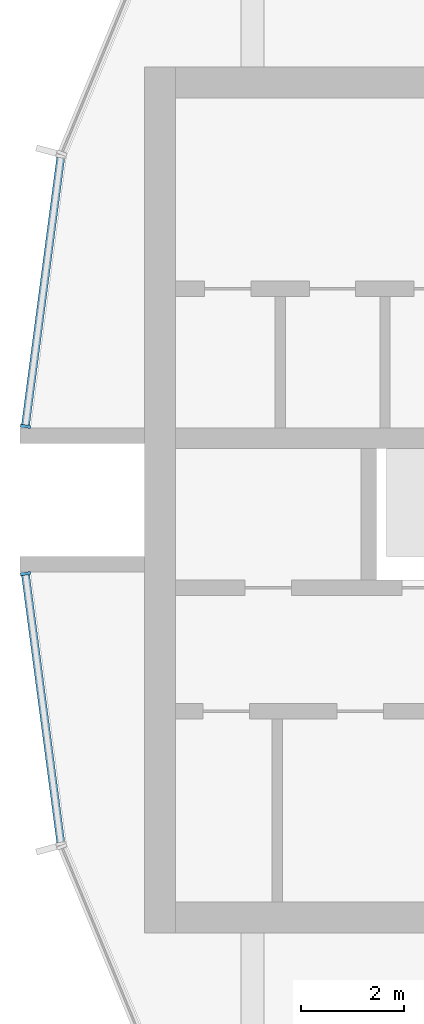
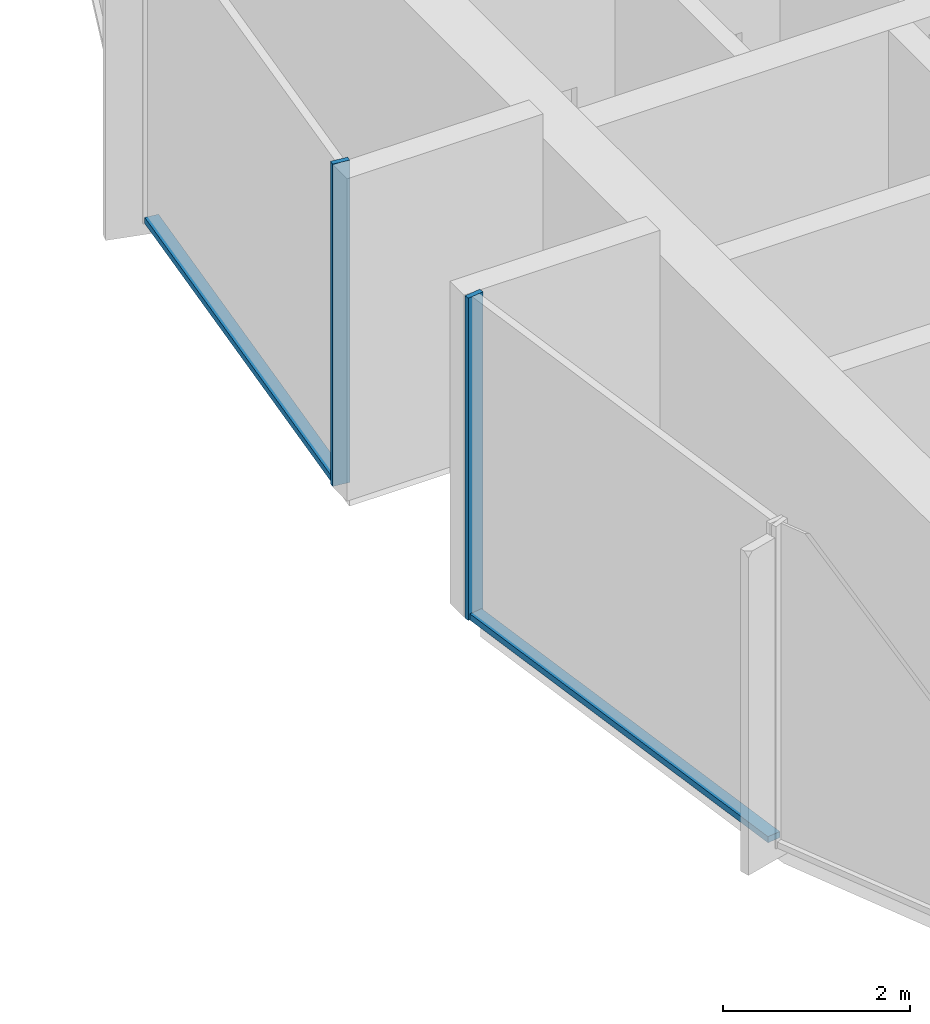
# One storey, part 3 of 15: 4 members, 2 elements without a shape of their own.
"""IFC4 building model written with IfcOpenShell, lengths in metres."""

import ifcopenshell
import ifcopenshell.guid

model = None  # the IFC model being written
_history = None  # IfcOwnerHistory: only IFC2X3 demands one
_inside = {}  # id of a spatial element -> (the spatial element, [elements in it])
_under = {}  # id of a project, library or spatial element -> (it, [spatial elements below it])
_declared = {}  # id of a project -> (the project, [libraries it declares])
_typed = {}  # id of a type object -> (the type object, [elements of that type])
_made_of = {}  # id of a material, layer set ... -> (it, [elements and type objects made of it])


def new_model(schema):
    """Start an empty IFC model of exactly this schema.

    Asked for "IFC4X3", IfcOpenShell would pick the latest addendum, in which some entities
    have other attributes; the version numbers below select the first issue.
    IFC2X3 requires an IfcOwnerHistory on every rooted entity: one is made here for all.
    """
    global model, _history
    if schema == "IFC4X3":
        model = ifcopenshell.file(schema_version=(4, 3, 0, 0))
    else:
        model = ifcopenshell.file(schema=schema)
    _inside.clear()
    _under.clear()
    _declared.clear()
    _typed.clear()
    _made_of.clear()
    _history = None
    if model.schema == "IFC2X3":
        org = make("IfcOrganization", Name="unknown")
        user = make(
            "IfcPersonAndOrganization",
            ThePerson=make("IfcPerson", FamilyName="unknown"),
            TheOrganization=org,
        )
        app = make(
            "IfcApplication",
            ApplicationDeveloper=org,
            Version="unknown",
            ApplicationFullName="unknown",
            ApplicationIdentifier="unknown",
        )
        _history = make(
            "IfcOwnerHistory",
            OwningUser=user,
            OwningApplication=app,
            ChangeAction="ADDED",
            CreationDate=0,
        )
    return model


def make(cls, **values):
    """One entity of the class cls with the attributes given. An attribute that is None is left unset."""
    return model.create_entity(
        cls, **{name: value for name, value in values.items() if value is not None}
    )


def rooted(cls, **values):
    """An entity with a GlobalId (a new one), such as an element, a storey or a relation."""
    return make(cls, GlobalId=ifcopenshell.guid.new(), OwnerHistory=_history, **values)


def si_unit(unit_type, name, prefix=None):
    """IfcSIUnit, for example si_unit("LENGTHUNIT", "METRE", prefix="MILLI")."""
    return make("IfcSIUnit", UnitType=unit_type, Prefix=prefix, Name=name)


def assignment(units):
    """IfcUnitAssignment: the units of a project."""
    return None if units is None else make("IfcUnitAssignment", Units=units)


def point(xyz):
    """IfcCartesianPoint."""
    return None if xyz is None else make("IfcCartesianPoint", Coordinates=xyz)


def direction(xyz):
    """IfcDirection."""
    return None if xyz is None else make("IfcDirection", DirectionRatios=xyz)


def frame(location, z_axis=None, x_axis=None):
    """IfcAxis2Placement3D, a coordinate frame: its origin and axes. An axis left out is left unset."""
    return make(
        "IfcAxis2Placement3D",
        Location=point(location),
        Axis=direction(z_axis),
        RefDirection=direction(x_axis),
    )


def frame_2d(location, x_axis=None):
    """IfcAxis2Placement2D, a coordinate frame in the plane: its origin and x axis."""
    return make(
        "IfcAxis2Placement2D", Location=point(location), RefDirection=direction(x_axis)
    )


def origin():
    """The frame at (0, 0, 0) with its axes left unset."""
    return frame((0.0, 0.0, 0.0))


def origin_2d():
    """The frame at (0, 0) in the plane with its x axis left unset."""
    return frame_2d((0.0, 0.0))


def place(relative_to, where):
    """IfcLocalPlacement: puts the frame where relative to a parent placement (None: the world)."""
    return make(
        "IfcLocalPlacement", PlacementRelTo=relative_to, RelativePlacement=where
    )


def context(
    kind, dimensions, precision=None, world=None, true_north=None, identifier=None
):
    """IfcGeometricRepresentationContext, for example the 3D "Model" context."""
    return make(
        "IfcGeometricRepresentationContext",
        ContextIdentifier=identifier,
        ContextType=kind,
        CoordinateSpaceDimension=dimensions,
        Precision=precision,
        WorldCoordinateSystem=world,
        TrueNorth=true_north,
    )


def subcontext(parent, identifier, kind, view, scale=None):
    """IfcGeometricRepresentationSubContext, for example "Body" below "Model"."""
    return make(
        "IfcGeometricRepresentationSubContext",
        ContextIdentifier=identifier,
        ContextType=kind,
        ParentContext=parent,
        TargetScale=scale,
        TargetView=view,
    )


def project(units=None, contexts=None):
    """IfcProject with its units and contexts."""
    return rooted(
        "IfcProject",
        Name="project",
        RepresentationContexts=contexts,
        UnitsInContext=assignment(units),
    )


def spatial(cls, under=None, at=None, **own):
    """A site, building, storey or space (cls), placed at a placement, below another one or the project."""
    s = rooted(cls, ObjectPlacement=at, **own)
    if under is not None:
        _under.setdefault(under.id(), (under, []))[1].append(s)
    return s


def profile(cls, at=None, kind="AREA", **sizes):
    """A parametric profile (cls). Its sizes go by their IFC names, for example OverallWidth=200.0."""
    return make(cls, ProfileType=kind, Position=at, **sizes)


def rectangle(**sizes):
    """IfcRectangleProfileDef."""
    return profile("IfcRectangleProfileDef", **sizes)


def extrude(swept, where, along, depth):
    """IfcExtrudedAreaSolid: the profile swept, set in the frame where, extruded along a direction by depth."""
    return make(
        "IfcExtrudedAreaSolid",
        SweptArea=swept,
        Position=where,
        ExtrudedDirection=direction(along),
        Depth=depth,
    )


def shape(context_of_items, identifier, shape_type, items):
    """IfcShapeRepresentation: the items that make up one representation, for example the "Body"."""
    return make(
        "IfcShapeRepresentation",
        ContextOfItems=context_of_items,
        RepresentationIdentifier=identifier,
        RepresentationType=shape_type,
        Items=items,
    )


def material(Name=None, Category=None):
    """IfcMaterial."""
    return make("IfcMaterial", Name=Name, Category=Category)


def layer(
    of_material, thickness, ventilated=None, Name=None, Category=None, Priority=None
):
    """IfcMaterialLayer: one layer of a wall or slab, of a material (None: an air gap)."""
    return make(
        "IfcMaterialLayer",
        Material=of_material,
        LayerThickness=thickness,
        IsVentilated=ventilated,
        Name=Name,
        Category=Category,
        Priority=Priority,
    )


def layer_set(layers, Name=None):
    """IfcMaterialLayerSet."""
    return make("IfcMaterialLayerSet", MaterialLayers=layers, LayerSetName=Name)


def material_profile(
    of_material, cross_section, Name=None, Category=None, Priority=None
):
    """IfcMaterialProfile: a cross section and its material."""
    return make(
        "IfcMaterialProfile",
        Name=Name,
        Material=of_material,
        Profile=cross_section,
        Priority=Priority,
        Category=Category,
    )


def profile_set(profiles, Name=None, composite=None):
    """IfcMaterialProfileSet."""
    return make(
        "IfcMaterialProfileSet",
        Name=Name,
        MaterialProfiles=profiles,
        CompositeProfile=composite,
    )


def made_of(thing, what):
    """Note that an element or type object is made of a material, layer set ...; save() writes the relation."""
    if what is not None:
        _made_of.setdefault(what.id(), (what, []))[1].append(thing)
    return thing


def type_object(cls, material=None, **own):
    """A type object (cls), such as IfcWallType, which elements share."""
    return made_of(rooted(cls, **own), material)


def element(
    cls,
    number,
    at=None,
    inside=None,
    cuts=None,
    type_object=None,
    material=None,
    context=None,
    identifier="Body",
    shape_type=None,
    held_by="IfcProductDefinitionShape",
    body=None,
    shapes=None,
    **own,
):
    """One element of the class cls, such as IfcWall. Its Tag is "e" and its number.

    at: its placement. inside: the storey or other place that contains it. cuts: it is an
    opening in that element (IfcRelVoidsElement). A single representation is given by context,
    identifier, shape_type and body (its items); several are given by shapes. held_by: the class
    of the entity that holds the representations. save() writes the other relations.
    """
    e = rooted(cls, Tag="e%d" % number, ObjectPlacement=at, **own)
    if body is not None:
        shapes = [shape(context, identifier, shape_type, body)]
    if shapes is not None:
        e.Representation = make(held_by, Representations=shapes)
    if inside is not None:
        _inside.setdefault(inside.id(), (inside, []))[1].append(e)
    if cuts is not None:
        rooted(
            "IfcRelVoidsElement", RelatingBuildingElement=cuts, RelatedOpeningElement=e
        )
    if type_object is not None:
        _typed.setdefault(type_object.id(), (type_object, []))[1].append(e)
    return made_of(e, material)


def aggregate(whole, parts):
    """IfcRelAggregates: a whole, such as a stair, and the parts it consists of."""
    return rooted("IfcRelAggregates", RelatingObject=whole, RelatedObjects=parts)


def save(model, path):
    """Write the relations noted so far, then the file.

    IfcRelAggregates (storeys below a building ...), IfcRelContainedInSpatialStructure (elements
    in a storey), IfcRelDefinesByType, IfcRelAssociatesMaterial and IfcRelDeclares: one each for
    every whole, place, type object, material and project.
    """
    for whole, parts in _under.values():
        aggregate(whole, parts)
    for where, things in _inside.values():
        rooted(
            "IfcRelContainedInSpatialStructure",
            RelatedElements=things,
            RelatingStructure=where,
        )
    for kind, things in _typed.values():
        rooted("IfcRelDefinesByType", RelatedObjects=things, RelatingType=kind)
    for what, things in _made_of.values():
        rooted("IfcRelAssociatesMaterial", RelatedObjects=things, RelatingMaterial=what)
    for by, libraries in _declared.values():
        rooted("IfcRelDeclares", RelatingContext=by, RelatedDefinitions=libraries)
    model.write(path)


model = new_model("IFC4")

# Units and contexts
model_context = context("Model", 3, precision=1e-05, world=origin(), true_north=direction((0.0, 1.0)))
body_context = subcontext(model_context, "Body", "Model", "MODEL_VIEW")
ifc_project = project(units=[si_unit("LENGTHUNIT", "METRE"), si_unit("AREAUNIT", "SQUARE_METRE"), si_unit("VOLUMEUNIT", "CUBIC_METRE"), si_unit("PLANEANGLEUNIT", "RADIAN"), si_unit("MASSUNIT", "GRAM", prefix="KILO")], contexts=[model_context])

# Site, building, storey
site_placement = place(None, origin())
site = spatial("IfcSite", under=ifc_project, at=site_placement, CompositionType="ELEMENT")
building_placement = place(site_placement, origin())
building = spatial("IfcBuilding", under=site, at=building_placement, Name="Torre Brocal", CompositionType="ELEMENT")
storey_placement = place(building_placement, frame((0.0, 0.0, 220.89990234375)))
storey = spatial("IfcBuildingStorey", under=building, at=storey_placement, Name="L51", CompositionType="ELEMENT", Elevation=220.89990234375)

# Curtain wall, member
ifc_material_1 = material(Name="Aluminium and glass", Category="aluminium")
ifc_layer = layer(ifc_material_1, 0.199951171875)
ifc_layer_set = layer_set([ifc_layer], Name="Aluminium and glass")
curtain_wall_type = type_object("IfcCurtainWallType", Name="CW-1B CURTAIN WALL 4200 HIGH", PredefinedType="NOTDEFINED", material=ifc_layer_set)
curtain_wall_1_placement = place(storey_placement, origin())
curtain_wall_1 = element("IfcCurtainWall", 1, at=curtain_wall_1_placement, inside=storey, type_object=curtain_wall_type, Name="CW-1B RUN 12", PredefinedType="NOTDEFINED")
ifc_material_2 = material(Name="Aluminium, dark anodised", Category="aluminium")
ifc_material_profile_1 = material_profile(ifc_material_2, rectangle(XDim=0.199951171875, YDim=0.06005859375, at=origin_2d()), Name="CW-1B MULLION 60X200")
ifc_profile_set_1 = profile_set([ifc_material_profile_1], Name="Aluminium, dark anodised")
member_type_1 = type_object("IfcMemberType", Name="CW-1B MULLION 60X200", PredefinedType="MULLION", material=ifc_profile_set_1)
member_1_placement = place(storey_placement, frame((54.2890625, 76.4296875, 0.0), z_axis=(0.0, 0.0, 1.0), x_axis=(0.991444861374, -0.13052619222, 0.0)))
member_1 = element("IfcMember", 2, at=member_1_placement, type_object=member_type_1, Name="CW1B-5 mullion 2", PredefinedType="MULLION", context=body_context, shape_type="SweptSolid", body=[
    extrude(rectangle(XDim=0.199951171875, YDim=0.06005859375, at=origin_2d()), origin(), (0.0, 0.0, 1.0), 4.2001953125),
])

curtain_wall_2_placement = place(storey_placement, origin())
curtain_wall_2 = element("IfcCurtainWall", 3, at=curtain_wall_2_placement, inside=storey, type_object=curtain_wall_type, Name="CW-1B RUN 13", PredefinedType="NOTDEFINED")
member_2_placement = place(storey_placement, frame((54.2890625, 73.5703125, 0.0), z_axis=(0.0, 0.0, 1.0), x_axis=(0.991444861374, 0.13052619222, 0.0)))
member_2 = element("IfcMember", 4, at=member_2_placement, type_object=member_type_1, Name="CW1B-5 mullion 1", PredefinedType="MULLION", context=body_context, shape_type="SweptSolid", body=[
    extrude(rectangle(XDim=0.199951171875, YDim=0.06005859375, at=origin_2d()), origin(), (0.0, 0.0, 1.0), 4.2001953125),
])

# Member
ifc_material_3 = material(Name="Aluminium, dark anodised", Category="aluminium")
ifc_material_profile_2 = material_profile(ifc_material_3, rectangle(XDim=0.159912109375, YDim=0.080078125, at=origin_2d()), Name="CW-1B TRANSOM 160X80")
ifc_profile_set_2 = profile_set([ifc_material_profile_2], Name="Aluminium, dark anodised")
member_type_2 = type_object("IfcMemberType", Name="CW-1B TRANSOM 160X80", PredefinedType="USERDEFINED", material=ifc_profile_set_2)
member_3_placement = place(storey_placement, frame((54.9755859375, 81.643798828125, 0.0400390625), z_axis=(-0.130542677827, -0.991442690863, 0.0), x_axis=(0.991442690863, -0.130542677827, 0.0)))
member_3 = element("IfcMember", 5, at=member_3_placement, type_object=member_type_2, Name="CW1B-5 transom 1.1", ObjectType="TRANSOM", PredefinedType="USERDEFINED", context=body_context, shape_type="SweptSolid", body=[
    extrude(rectangle(XDim=0.159912109375, YDim=0.080078125, at=origin_2d()), origin(), (0.0, 0.0, 1.0), 5.22900390625),
])

aggregate(curtain_wall_1, [member_1, member_3])

member_4_placement = place(storey_placement, frame((54.29296875, 73.54052734375, 0.0400390625), z_axis=(0.130542677827, -0.991442690863, 0.0), x_axis=(0.991442690863, 0.130542677827, 0.0)))
member_4 = element("IfcMember", 6, at=member_4_placement, type_object=member_type_2, Name="CW1B-5 transom 1.1", ObjectType="TRANSOM", PredefinedType="USERDEFINED", context=body_context, shape_type="SweptSolid", body=[
    extrude(rectangle(XDim=0.159912109375, YDim=0.080078125, at=origin_2d()), origin(), (0.0, 0.0, 1.0), 5.22900390625),
])

aggregate(curtain_wall_2, [member_2, member_4])

save(model, "model.ifc")
